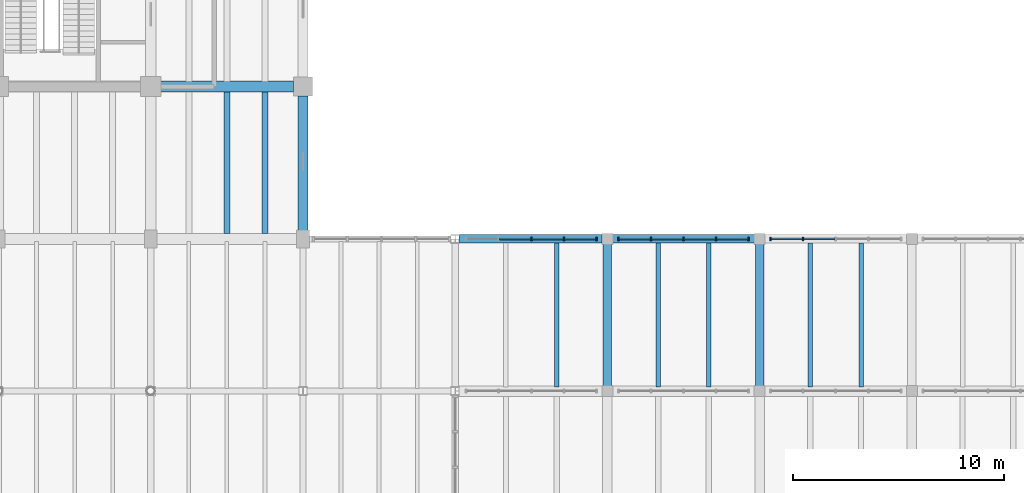
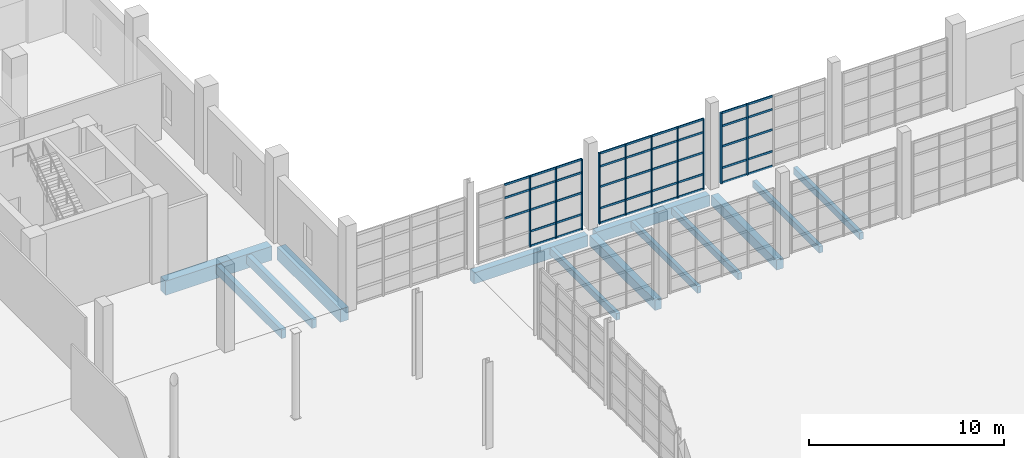
# One storey, part 39 of 79: 53 members, 13 beams, 3 elements without a shape of their own.
"""IFC4 building model written with IfcOpenShell, lengths in metres."""

from ifc_helpers import new_model, si_unit, direction, frame, origin, origin_2d, place, context, subcontext, project, spatial, rectangle, extrude, material, material_profile, profile_set, type_object, element, aggregate, save


model = new_model("IFC4")

# Units and contexts
model_context = context("Model", 3, precision=1e-05, world=origin(), true_north=direction((0.0, 1.0)))
body_context = subcontext(model_context, "Body", "Model", "MODEL_VIEW")
ifc_project = project(units=[si_unit("LENGTHUNIT", "METRE"), si_unit("AREAUNIT", "SQUARE_METRE"), si_unit("VOLUMEUNIT", "CUBIC_METRE"), si_unit("PLANEANGLEUNIT", "RADIAN"), si_unit("MASSUNIT", "GRAM", prefix="KILO")], contexts=[model_context])

# Site, building, storey
site_placement = place(None, origin())
site = spatial("IfcSite", under=ifc_project, at=site_placement, CompositionType="ELEMENT")
building_placement = place(site_placement, origin())
building = spatial("IfcBuilding", under=site, at=building_placement, Name="Qiaolan Assembly House", CompositionType="ELEMENT")
storey_placement = place(building_placement, origin())
storey = spatial("IfcBuildingStorey", under=building, at=storey_placement, Name="L00", CompositionType="ELEMENT", Elevation=0.0)

# Beams
ifc_material_1 = material(Name="Concrete C40/50", Category="concrete")
ifc_material_profile_1 = material_profile(ifc_material_1, rectangle(XDim=0.39990234375, YDim=0.64990234375, at=origin_2d()), Name="RCB 400x650")
ifc_profile_set_1 = profile_set([ifc_material_profile_1], Name="Concrete C40/50")
beam_type_1 = type_object("IfcBeamType", Name="BM-RC-400x650", PredefinedType="BEAM", material=ifc_profile_set_1)
for number, where, z_axis, x_axis, name in (
    (1, (115.199951171875, 79.449951171875, -0.6650390625), (0.0, 1.0, 0.0), (-1.0, 0.0, 0.0), "GB-06 beam BMY-CLN-L00-01-00"),
    (2, (122.39990234375, 79.449951171875, -0.6650390625), (0.0, 1.0, 0.0), (-1.0, 0.0, 0.0), "GB-06 beam BMY-CLN-L00-02-00"),
):
    element("IfcBeam", number, at=place(storey_placement, frame(where, z_axis=z_axis, x_axis=x_axis)), inside=storey, type_object=beam_type_1, Name=name, PredefinedType="BEAM", context=body_context, shape_type="SweptSolid", body=[
        extrude(rectangle(XDim=0.39990234375, YDim=0.64990234375, at=origin_2d()), origin(), (0.0, 0.0, 1.0), 6.699951171875),
    ])
ifc_material_profile_2 = material_profile(ifc_material_1, rectangle(XDim=0.39990234375, YDim=0.699951171875, at=origin_2d()), Name="RCB 400x700")
ifc_profile_set_2 = profile_set([ifc_material_profile_2], Name="Concrete C40/50")
beam_type_2 = type_object("IfcBeamType", Name="BM-RC-400x700", PredefinedType="BEAM", material=ifc_profile_set_2)
beam_1_placement = place(storey_placement, frame((108.18994140625, 86.39990234375, -0.68994140625), z_axis=(1.0, 0.0, 0.0), x_axis=(0.0, 1.0, 0.0)))
element("IfcBeam", 3, at=beam_1_placement, inside=storey, type_object=beam_type_2, Name="GB-05 beam BMX-CLN-L00-00-01", PredefinedType="BEAM", context=body_context, shape_type="SweptSolid", body=[
    extrude(rectangle(XDim=0.39990234375, YDim=0.699951171875, at=origin_2d()), origin(), (0.0, 0.0, 1.0), 6.760009765625),
])
beam_2_placement = place(storey_placement, frame((115.449951171875, 86.39990234375, -0.68994140625), z_axis=(1.0, 0.0, 0.0), x_axis=(0.0, 1.0, 0.0)))
element("IfcBeam", 4, at=beam_2_placement, inside=storey, type_object=beam_type_2, Name="GB-05 beam BMX-CLN-L00-01-01", PredefinedType="BEAM", context=body_context, shape_type="SweptSolid", body=[
    extrude(rectangle(XDim=0.39990234375, YDim=0.699951171875, at=origin_2d()), origin(), (0.0, 0.0, 1.0), 6.699951171875),
])
ifc_material_2 = material(Name="Concrete C45/55", Category="concrete")
ifc_material_profile_3 = material_profile(ifc_material_2, rectangle(XDim=0.47998046875, YDim=0.81005859375, at=origin_2d()), Name="RCB 480x810")
ifc_profile_set_3 = profile_set([ifc_material_profile_3], Name="Concrete C45/55")
beam_type_3 = type_object("IfcBeamType", Name="BM-RC-480x810", PredefinedType="BEAM", material=ifc_profile_set_3)
beam_3_placement = place(storey_placement, frame((100.800048828125, 86.68994140625, -0.655029296875), z_axis=(0.0, 1.0, 0.0), x_axis=(-1.0, 0.0, 0.0)))
element("IfcBeam", 5, at=beam_3_placement, inside=storey, type_object=beam_type_3, Name="GB-11 beam BMY-NW-L00-09-00", PredefinedType="BEAM", context=body_context, shape_type="SweptSolid", body=[
    extrude(rectangle(XDim=0.47998046875, YDim=0.81005859375, at=origin_2d()), origin(), (0.0, 0.0, 1.0), 6.469970703125),
])
ifc_material_profile_4 = material_profile(ifc_material_2, rectangle(XDim=0.52001953125, YDim=0.8798828125, at=origin_2d()), Name="RCB 520x880")
ifc_profile_set_4 = profile_set([ifc_material_profile_4], Name="Concrete C45/55")
beam_type_4 = type_object("IfcBeamType", Name="BM-RC-520x880", PredefinedType="BEAM", material=ifc_profile_set_4)
beam_4_placement = place(storey_placement, frame((94.06494140625, 93.60009765625, -0.68994140625), z_axis=(1.0, 0.0, 0.0), x_axis=(0.0, 1.0, 0.0)))
element("IfcBeam", 6, at=beam_4_placement, inside=storey, type_object=beam_type_4, Name="GB-10 beam BMX-NW-L00-08-01", PredefinedType="BEAM", context=body_context, shape_type="SweptSolid", body=[
    extrude(rectangle(XDim=0.52001953125, YDim=0.8798828125, at=origin_2d()), origin(), (0.0, 0.0, 1.0), 6.295166015625),
])

# Curtain wall, members
ifc_material_3 = material(Name="Anodised bronze aluminium", Category="aluminium")
curtain_wall_type = type_object("IfcCurtainWallType", Name="CW-CLOISTER-420", PredefinedType="NOTDEFINED", material=ifc_material_3)
curtain_wall_1_placement = place(storey_placement, origin())
curtain_wall_1 = element("IfcCurtainWall", 7, at=curtain_wall_1_placement, inside=storey, type_object=curtain_wall_type, Name="CW-05 North Cloister outer arcade L00-1", PredefinedType="NOTDEFINED")
ifc_material_profile_5 = material_profile(ifc_material_3, rectangle(XDim=0.070068359375, YDim=0.155029296875, at=origin_2d()), Name="MUL 70x155")
ifc_profile_set_5 = profile_set([ifc_material_profile_5], Name="Anodised bronze aluminium")
member_type_1 = type_object("IfcMemberType", Name="CW-CLOISTER-420-MUL", PredefinedType="MULLION", material=ifc_profile_set_5)
member_1_placement = place(storey_placement, frame((114.679931640625, 86.39990234375, 0.0), z_axis=(0.0, 0.0, 1.0), x_axis=(-1.0, 0.0, 0.0)))
member_1 = element("IfcMember", 8, at=member_1_placement, type_object=member_type_1, Name="ML-06 mullion CW-CLN-OUT-L00-0-1", PredefinedType="MULLION", context=body_context, shape_type="SweptSolid", body=[
    extrude(rectangle(XDim=0.070068359375, YDim=0.155029296875, at=origin_2d()), origin(), (0.0, 0.0, 1.0), 4.419921875),
])
member_2_placement = place(storey_placement, frame((113.139892578125, 86.39990234375, 0.0), z_axis=(0.0, 0.0, 1.0), x_axis=(-1.0, 0.0, 0.0)))
member_2 = element("IfcMember", 9, at=member_2_placement, type_object=member_type_1, Name="ML-06 mullion CW-CLN-OUT-L00-0-2", PredefinedType="MULLION", context=body_context, shape_type="SweptSolid", body=[
    extrude(rectangle(XDim=0.070068359375, YDim=0.155029296875, at=origin_2d()), origin(), (0.0, 0.0, 1.0), 4.419921875),
])
member_3_placement = place(storey_placement, frame((111.60009765625, 86.39990234375, 0.0), z_axis=(0.0, 0.0, 1.0), x_axis=(-1.0, 0.0, 0.0)))
member_3 = element("IfcMember", 10, at=member_3_placement, type_object=member_type_1, Name="ML-06 mullion CW-CLN-OUT-L00-0-3", PredefinedType="MULLION", context=body_context, shape_type="SweptSolid", body=[
    extrude(rectangle(XDim=0.070068359375, YDim=0.155029296875, at=origin_2d()), origin(), (0.0, 0.0, 1.0), 4.419921875),
])

curtain_wall_2_placement = place(storey_placement, origin())
curtain_wall_2 = element("IfcCurtainWall", 11, at=curtain_wall_2_placement, inside=storey, type_object=curtain_wall_type, Name="CW-05 North Cloister outer arcade L00-2", PredefinedType="NOTDEFINED")
member_4_placement = place(storey_placement, frame((121.8798828125, 86.39990234375, 0.0), z_axis=(0.0, 0.0, 1.0), x_axis=(-1.0, 0.0, 0.0)))
member_4 = element("IfcMember", 12, at=member_4_placement, type_object=member_type_1, Name="ML-06 mullion CW-CLN-OUT-L00-1-1", PredefinedType="MULLION", context=body_context, shape_type="SweptSolid", body=[
    extrude(rectangle(XDim=0.070068359375, YDim=0.155029296875, at=origin_2d()), origin(), (0.0, 0.0, 1.0), 4.419921875),
])
member_5_placement = place(storey_placement, frame((120.340087890625, 86.39990234375, 0.0), z_axis=(0.0, 0.0, 1.0), x_axis=(-1.0, 0.0, 0.0)))
member_5 = element("IfcMember", 13, at=member_5_placement, type_object=member_type_1, Name="ML-06 mullion CW-CLN-OUT-L00-1-2", PredefinedType="MULLION", context=body_context, shape_type="SweptSolid", body=[
    extrude(rectangle(XDim=0.070068359375, YDim=0.155029296875, at=origin_2d()), origin(), (0.0, 0.0, 1.0), 4.419921875),
])
member_6_placement = place(storey_placement, frame((118.800048828125, 86.39990234375, 0.0), z_axis=(0.0, 0.0, 1.0), x_axis=(-1.0, 0.0, 0.0)))
member_6 = element("IfcMember", 14, at=member_6_placement, type_object=member_type_1, Name="ML-06 mullion CW-CLN-OUT-L00-1-3", PredefinedType="MULLION", context=body_context, shape_type="SweptSolid", body=[
    extrude(rectangle(XDim=0.070068359375, YDim=0.155029296875, at=origin_2d()), origin(), (0.0, 0.0, 1.0), 4.419921875),
])
member_7_placement = place(storey_placement, frame((117.260009765625, 86.39990234375, 0.0), z_axis=(0.0, 0.0, 1.0), x_axis=(-1.0, 0.0, 0.0)))
member_7 = element("IfcMember", 15, at=member_7_placement, type_object=member_type_1, Name="ML-06 mullion CW-CLN-OUT-L00-1-4", PredefinedType="MULLION", context=body_context, shape_type="SweptSolid", body=[
    extrude(rectangle(XDim=0.070068359375, YDim=0.155029296875, at=origin_2d()), origin(), (0.0, 0.0, 1.0), 4.419921875),
])
member_8_placement = place(storey_placement, frame((115.719970703125, 86.39990234375, 0.0), z_axis=(0.0, 0.0, 1.0), x_axis=(-1.0, 0.0, 0.0)))
member_8 = element("IfcMember", 16, at=member_8_placement, type_object=member_type_1, Name="ML-06 mullion CW-CLN-OUT-L00-1-5", PredefinedType="MULLION", context=body_context, shape_type="SweptSolid", body=[
    extrude(rectangle(XDim=0.070068359375, YDim=0.155029296875, at=origin_2d()), origin(), (0.0, 0.0, 1.0), 4.419921875),
])

curtain_wall_3_placement = place(storey_placement, origin())
curtain_wall_3 = element("IfcCurtainWall", 17, at=curtain_wall_3_placement, inside=storey, type_object=curtain_wall_type, Name="CW-05 North Cloister outer arcade L00-3", PredefinedType="NOTDEFINED")
member_9_placement = place(storey_placement, frame((124.4599609375, 86.39990234375, 0.0), z_axis=(0.0, 0.0, 1.0), x_axis=(-1.0, 0.0, 0.0)))
member_9 = element("IfcMember", 18, at=member_9_placement, type_object=member_type_1, Name="ML-06 mullion CW-CLN-OUT-L00-2-4", PredefinedType="MULLION", context=body_context, shape_type="SweptSolid", body=[
    extrude(rectangle(XDim=0.070068359375, YDim=0.155029296875, at=origin_2d()), origin(), (0.0, 0.0, 1.0), 4.419921875),
])
member_10_placement = place(storey_placement, frame((122.919921875, 86.39990234375, 0.0), z_axis=(0.0, 0.0, 1.0), x_axis=(-1.0, 0.0, 0.0)))
member_10 = element("IfcMember", 19, at=member_10_placement, type_object=member_type_1, Name="ML-06 mullion CW-CLN-OUT-L00-2-5", PredefinedType="MULLION", context=body_context, shape_type="SweptSolid", body=[
    extrude(rectangle(XDim=0.070068359375, YDim=0.155029296875, at=origin_2d()), origin(), (0.0, 0.0, 1.0), 4.419921875),
])

# Member
ifc_material_profile_6 = material_profile(ifc_material_3, rectangle(XDim=0.06201171875, YDim=0.125, at=origin_2d()), Name="TRN 62x125")
ifc_profile_set_6 = profile_set([ifc_material_profile_6], Name="Anodised bronze aluminium")
member_type_2 = type_object("IfcMemberType", Name="CW-CLOISTER-420-TRN", PredefinedType="USERDEFINED", material=ifc_profile_set_6)
member_11_placement = place(storey_placement, frame((114.64501953125, 86.39990234375, 0.030029296875), z_axis=(-1.0, 0.0, 0.0), x_axis=(0.0, -1.0, 0.0)))
member_11 = element("IfcMember", 20, at=member_11_placement, type_object=member_type_2, Name="TR-06 transom CW-CLN-OUT-L00-0-1-1", ObjectType="TRANSOM", PredefinedType="USERDEFINED", context=body_context, shape_type="SweptSolid", body=[
    extrude(rectangle(XDim=0.06201171875, YDim=0.125, at=origin_2d()), origin(), (0.0, 0.0, 1.0), 1.469970703125),
])

member_12_placement = place(storey_placement, frame((114.64501953125, 86.39990234375, 0.949951171875), z_axis=(-1.0, 0.0, 0.0), x_axis=(0.0, -1.0, 0.0)))
member_12 = element("IfcMember", 21, at=member_12_placement, type_object=member_type_2, Name="TR-06 transom CW-CLN-OUT-L00-0-1-2", ObjectType="TRANSOM", PredefinedType="USERDEFINED", context=body_context, shape_type="SweptSolid", body=[
    extrude(rectangle(XDim=0.06201171875, YDim=0.125, at=origin_2d()), origin(), (0.0, 0.0, 1.0), 1.469970703125),
])

member_13_placement = place(storey_placement, frame((114.64501953125, 86.39990234375, 2.29833984375), z_axis=(-1.0, 0.0, 0.0), x_axis=(0.0, -1.0, 0.0)))
member_13 = element("IfcMember", 22, at=member_13_placement, type_object=member_type_2, Name="TR-06 transom CW-CLN-OUT-L00-0-1-3", ObjectType="TRANSOM", PredefinedType="USERDEFINED", context=body_context, shape_type="SweptSolid", body=[
    extrude(rectangle(XDim=0.06201171875, YDim=0.125, at=origin_2d()), origin(), (0.0, 0.0, 1.0), 1.469970703125),
])

member_14_placement = place(storey_placement, frame((114.64501953125, 86.39990234375, 3.570068359375), z_axis=(-1.0, 0.0, 0.0), x_axis=(0.0, -1.0, 0.0)))
member_14 = element("IfcMember", 23, at=member_14_placement, type_object=member_type_2, Name="TR-06 transom CW-CLN-OUT-L00-0-1-4", ObjectType="TRANSOM", PredefinedType="USERDEFINED", context=body_context, shape_type="SweptSolid", body=[
    extrude(rectangle(XDim=0.06201171875, YDim=0.125, at=origin_2d()), origin(), (0.0, 0.0, 1.0), 1.469970703125),
])

member_15_placement = place(storey_placement, frame((114.64501953125, 86.39990234375, 4.389892578125), z_axis=(-1.0, 0.0, 0.0), x_axis=(0.0, -1.0, 0.0)))
member_15 = element("IfcMember", 24, at=member_15_placement, type_object=member_type_2, Name="TR-06 transom CW-CLN-OUT-L00-0-1-5", ObjectType="TRANSOM", PredefinedType="USERDEFINED", context=body_context, shape_type="SweptSolid", body=[
    extrude(rectangle(XDim=0.06201171875, YDim=0.125, at=origin_2d()), origin(), (0.0, 0.0, 1.0), 1.469970703125),
])

member_16_placement = place(storey_placement, frame((113.10498046875, 86.39990234375, 0.030029296875), z_axis=(-1.0, 0.0, 0.0), x_axis=(0.0, -1.0, 0.0)))
member_16 = element("IfcMember", 25, at=member_16_placement, type_object=member_type_2, Name="TR-06 transom CW-CLN-OUT-L00-0-2-1", ObjectType="TRANSOM", PredefinedType="USERDEFINED", context=body_context, shape_type="SweptSolid", body=[
    extrude(rectangle(XDim=0.06201171875, YDim=0.125, at=origin_2d()), origin(), (0.0, 0.0, 1.0), 1.469970703125),
])

member_17_placement = place(storey_placement, frame((113.10498046875, 86.39990234375, 0.949951171875), z_axis=(-1.0, 0.0, 0.0), x_axis=(0.0, -1.0, 0.0)))
member_17 = element("IfcMember", 26, at=member_17_placement, type_object=member_type_2, Name="TR-06 transom CW-CLN-OUT-L00-0-2-2", ObjectType="TRANSOM", PredefinedType="USERDEFINED", context=body_context, shape_type="SweptSolid", body=[
    extrude(rectangle(XDim=0.06201171875, YDim=0.125, at=origin_2d()), origin(), (0.0, 0.0, 1.0), 1.469970703125),
])

member_18_placement = place(storey_placement, frame((113.10498046875, 86.39990234375, 2.29833984375), z_axis=(-1.0, 0.0, 0.0), x_axis=(0.0, -1.0, 0.0)))
member_18 = element("IfcMember", 27, at=member_18_placement, type_object=member_type_2, Name="TR-06 transom CW-CLN-OUT-L00-0-2-3", ObjectType="TRANSOM", PredefinedType="USERDEFINED", context=body_context, shape_type="SweptSolid", body=[
    extrude(rectangle(XDim=0.06201171875, YDim=0.125, at=origin_2d()), origin(), (0.0, 0.0, 1.0), 1.469970703125),
])

member_19_placement = place(storey_placement, frame((113.10498046875, 86.39990234375, 3.570068359375), z_axis=(-1.0, 0.0, 0.0), x_axis=(0.0, -1.0, 0.0)))
member_19 = element("IfcMember", 28, at=member_19_placement, type_object=member_type_2, Name="TR-06 transom CW-CLN-OUT-L00-0-2-4", ObjectType="TRANSOM", PredefinedType="USERDEFINED", context=body_context, shape_type="SweptSolid", body=[
    extrude(rectangle(XDim=0.06201171875, YDim=0.125, at=origin_2d()), origin(), (0.0, 0.0, 1.0), 1.469970703125),
])

member_20_placement = place(storey_placement, frame((113.10498046875, 86.39990234375, 4.389892578125), z_axis=(-1.0, 0.0, 0.0), x_axis=(0.0, -1.0, 0.0)))
member_20 = element("IfcMember", 29, at=member_20_placement, type_object=member_type_2, Name="TR-06 transom CW-CLN-OUT-L00-0-2-5", ObjectType="TRANSOM", PredefinedType="USERDEFINED", context=body_context, shape_type="SweptSolid", body=[
    extrude(rectangle(XDim=0.06201171875, YDim=0.125, at=origin_2d()), origin(), (0.0, 0.0, 1.0), 1.469970703125),
])

member_21_placement = place(storey_placement, frame((111.56494140625, 86.39990234375, 2.29833984375), z_axis=(-1.0, 0.0, 0.0), x_axis=(0.0, -1.0, 0.0)))
member_21 = element("IfcMember", 30, at=member_21_placement, type_object=member_type_2, Name="TR-06 transom CW-CLN-OUT-L00-0-3-3", ObjectType="TRANSOM", PredefinedType="USERDEFINED", context=body_context, shape_type="SweptSolid", body=[
    extrude(rectangle(XDim=0.06201171875, YDim=0.125, at=origin_2d()), origin(), (0.0, 0.0, 1.0), 1.469970703125),
])

member_22_placement = place(storey_placement, frame((111.56494140625, 86.39990234375, 3.570068359375), z_axis=(-1.0, 0.0, 0.0), x_axis=(0.0, -1.0, 0.0)))
member_22 = element("IfcMember", 31, at=member_22_placement, type_object=member_type_2, Name="TR-06 transom CW-CLN-OUT-L00-0-3-4", ObjectType="TRANSOM", PredefinedType="USERDEFINED", context=body_context, shape_type="SweptSolid", body=[
    extrude(rectangle(XDim=0.06201171875, YDim=0.125, at=origin_2d()), origin(), (0.0, 0.0, 1.0), 1.469970703125),
])

member_23_placement = place(storey_placement, frame((111.56494140625, 86.39990234375, 4.389892578125), z_axis=(-1.0, 0.0, 0.0), x_axis=(0.0, -1.0, 0.0)))
member_23 = element("IfcMember", 32, at=member_23_placement, type_object=member_type_2, Name="TR-06 transom CW-CLN-OUT-L00-0-3-5", ObjectType="TRANSOM", PredefinedType="USERDEFINED", context=body_context, shape_type="SweptSolid", body=[
    extrude(rectangle(XDim=0.06201171875, YDim=0.125, at=origin_2d()), origin(), (0.0, 0.0, 1.0), 1.469970703125),
])

aggregate(curtain_wall_1, [member_1, member_2, member_3, member_11, member_12, member_13, member_14, member_15, member_16, member_17, member_18, member_19, member_20, member_21, member_22, member_23])

member_24_placement = place(storey_placement, frame((121.844970703125, 86.39990234375, 0.030029296875), z_axis=(-1.0, 0.0, 0.0), x_axis=(0.0, -1.0, 0.0)))
member_24 = element("IfcMember", 33, at=member_24_placement, type_object=member_type_2, Name="TR-06 transom CW-CLN-OUT-L00-1-1-1", ObjectType="TRANSOM", PredefinedType="USERDEFINED", context=body_context, shape_type="SweptSolid", body=[
    extrude(rectangle(XDim=0.06201171875, YDim=0.125, at=origin_2d()), origin(), (0.0, 0.0, 1.0), 1.469970703125),
])

member_25_placement = place(storey_placement, frame((121.844970703125, 86.39990234375, 0.949951171875), z_axis=(-1.0, 0.0, 0.0), x_axis=(0.0, -1.0, 0.0)))
member_25 = element("IfcMember", 34, at=member_25_placement, type_object=member_type_2, Name="TR-06 transom CW-CLN-OUT-L00-1-1-2", ObjectType="TRANSOM", PredefinedType="USERDEFINED", context=body_context, shape_type="SweptSolid", body=[
    extrude(rectangle(XDim=0.06201171875, YDim=0.125, at=origin_2d()), origin(), (0.0, 0.0, 1.0), 1.469970703125),
])

member_26_placement = place(storey_placement, frame((121.844970703125, 86.39990234375, 2.29833984375), z_axis=(-1.0, 0.0, 0.0), x_axis=(0.0, -1.0, 0.0)))
member_26 = element("IfcMember", 35, at=member_26_placement, type_object=member_type_2, Name="TR-06 transom CW-CLN-OUT-L00-1-1-3", ObjectType="TRANSOM", PredefinedType="USERDEFINED", context=body_context, shape_type="SweptSolid", body=[
    extrude(rectangle(XDim=0.06201171875, YDim=0.125, at=origin_2d()), origin(), (0.0, 0.0, 1.0), 1.469970703125),
])

member_27_placement = place(storey_placement, frame((121.844970703125, 86.39990234375, 3.570068359375), z_axis=(-1.0, 0.0, 0.0), x_axis=(0.0, -1.0, 0.0)))
member_27 = element("IfcMember", 36, at=member_27_placement, type_object=member_type_2, Name="TR-06 transom CW-CLN-OUT-L00-1-1-4", ObjectType="TRANSOM", PredefinedType="USERDEFINED", context=body_context, shape_type="SweptSolid", body=[
    extrude(rectangle(XDim=0.06201171875, YDim=0.125, at=origin_2d()), origin(), (0.0, 0.0, 1.0), 1.469970703125),
])

member_28_placement = place(storey_placement, frame((121.844970703125, 86.39990234375, 4.389892578125), z_axis=(-1.0, 0.0, 0.0), x_axis=(0.0, -1.0, 0.0)))
member_28 = element("IfcMember", 37, at=member_28_placement, type_object=member_type_2, Name="TR-06 transom CW-CLN-OUT-L00-1-1-5", ObjectType="TRANSOM", PredefinedType="USERDEFINED", context=body_context, shape_type="SweptSolid", body=[
    extrude(rectangle(XDim=0.06201171875, YDim=0.125, at=origin_2d()), origin(), (0.0, 0.0, 1.0), 1.469970703125),
])

member_29_placement = place(storey_placement, frame((120.304931640625, 86.39990234375, 0.030029296875), z_axis=(-1.0, 0.0, 0.0), x_axis=(0.0, -1.0, 0.0)))
member_29 = element("IfcMember", 38, at=member_29_placement, type_object=member_type_2, Name="TR-06 transom CW-CLN-OUT-L00-1-2-1", ObjectType="TRANSOM", PredefinedType="USERDEFINED", context=body_context, shape_type="SweptSolid", body=[
    extrude(rectangle(XDim=0.06201171875, YDim=0.125, at=origin_2d()), origin(), (0.0, 0.0, 1.0), 1.469970703125),
])

member_30_placement = place(storey_placement, frame((120.304931640625, 86.39990234375, 0.949951171875), z_axis=(-1.0, 0.0, 0.0), x_axis=(0.0, -1.0, 0.0)))
member_30 = element("IfcMember", 39, at=member_30_placement, type_object=member_type_2, Name="TR-06 transom CW-CLN-OUT-L00-1-2-2", ObjectType="TRANSOM", PredefinedType="USERDEFINED", context=body_context, shape_type="SweptSolid", body=[
    extrude(rectangle(XDim=0.06201171875, YDim=0.125, at=origin_2d()), origin(), (0.0, 0.0, 1.0), 1.469970703125),
])

member_31_placement = place(storey_placement, frame((120.304931640625, 86.39990234375, 2.29833984375), z_axis=(-1.0, 0.0, 0.0), x_axis=(0.0, -1.0, 0.0)))
member_31 = element("IfcMember", 40, at=member_31_placement, type_object=member_type_2, Name="TR-06 transom CW-CLN-OUT-L00-1-2-3", ObjectType="TRANSOM", PredefinedType="USERDEFINED", context=body_context, shape_type="SweptSolid", body=[
    extrude(rectangle(XDim=0.06201171875, YDim=0.125, at=origin_2d()), origin(), (0.0, 0.0, 1.0), 1.469970703125),
])

member_32_placement = place(storey_placement, frame((120.304931640625, 86.39990234375, 3.570068359375), z_axis=(-1.0, 0.0, 0.0), x_axis=(0.0, -1.0, 0.0)))
member_32 = element("IfcMember", 41, at=member_32_placement, type_object=member_type_2, Name="TR-06 transom CW-CLN-OUT-L00-1-2-4", ObjectType="TRANSOM", PredefinedType="USERDEFINED", context=body_context, shape_type="SweptSolid", body=[
    extrude(rectangle(XDim=0.06201171875, YDim=0.125, at=origin_2d()), origin(), (0.0, 0.0, 1.0), 1.469970703125),
])

member_33_placement = place(storey_placement, frame((120.304931640625, 86.39990234375, 4.389892578125), z_axis=(-1.0, 0.0, 0.0), x_axis=(0.0, -1.0, 0.0)))
member_33 = element("IfcMember", 42, at=member_33_placement, type_object=member_type_2, Name="TR-06 transom CW-CLN-OUT-L00-1-2-5", ObjectType="TRANSOM", PredefinedType="USERDEFINED", context=body_context, shape_type="SweptSolid", body=[
    extrude(rectangle(XDim=0.06201171875, YDim=0.125, at=origin_2d()), origin(), (0.0, 0.0, 1.0), 1.469970703125),
])

member_34_placement = place(storey_placement, frame((118.764892578125, 86.39990234375, 0.030029296875), z_axis=(-1.0, 0.0, 0.0), x_axis=(0.0, -1.0, 0.0)))
member_34 = element("IfcMember", 43, at=member_34_placement, type_object=member_type_2, Name="TR-06 transom CW-CLN-OUT-L00-1-3-1", ObjectType="TRANSOM", PredefinedType="USERDEFINED", context=body_context, shape_type="SweptSolid", body=[
    extrude(rectangle(XDim=0.06201171875, YDim=0.125, at=origin_2d()), origin(), (0.0, 0.0, 1.0), 1.469970703125),
])

member_35_placement = place(storey_placement, frame((118.764892578125, 86.39990234375, 0.949951171875), z_axis=(-1.0, 0.0, 0.0), x_axis=(0.0, -1.0, 0.0)))
member_35 = element("IfcMember", 44, at=member_35_placement, type_object=member_type_2, Name="TR-06 transom CW-CLN-OUT-L00-1-3-2", ObjectType="TRANSOM", PredefinedType="USERDEFINED", context=body_context, shape_type="SweptSolid", body=[
    extrude(rectangle(XDim=0.06201171875, YDim=0.125, at=origin_2d()), origin(), (0.0, 0.0, 1.0), 1.469970703125),
])

member_36_placement = place(storey_placement, frame((118.764892578125, 86.39990234375, 2.29833984375), z_axis=(-1.0, 0.0, 0.0), x_axis=(0.0, -1.0, 0.0)))
member_36 = element("IfcMember", 45, at=member_36_placement, type_object=member_type_2, Name="TR-06 transom CW-CLN-OUT-L00-1-3-3", ObjectType="TRANSOM", PredefinedType="USERDEFINED", context=body_context, shape_type="SweptSolid", body=[
    extrude(rectangle(XDim=0.06201171875, YDim=0.125, at=origin_2d()), origin(), (0.0, 0.0, 1.0), 1.469970703125),
])

member_37_placement = place(storey_placement, frame((118.764892578125, 86.39990234375, 3.570068359375), z_axis=(-1.0, 0.0, 0.0), x_axis=(0.0, -1.0, 0.0)))
member_37 = element("IfcMember", 46, at=member_37_placement, type_object=member_type_2, Name="TR-06 transom CW-CLN-OUT-L00-1-3-4", ObjectType="TRANSOM", PredefinedType="USERDEFINED", context=body_context, shape_type="SweptSolid", body=[
    extrude(rectangle(XDim=0.06201171875, YDim=0.125, at=origin_2d()), origin(), (0.0, 0.0, 1.0), 1.469970703125),
])

member_38_placement = place(storey_placement, frame((118.764892578125, 86.39990234375, 4.389892578125), z_axis=(-1.0, 0.0, 0.0), x_axis=(0.0, -1.0, 0.0)))
member_38 = element("IfcMember", 47, at=member_38_placement, type_object=member_type_2, Name="TR-06 transom CW-CLN-OUT-L00-1-3-5", ObjectType="TRANSOM", PredefinedType="USERDEFINED", context=body_context, shape_type="SweptSolid", body=[
    extrude(rectangle(XDim=0.06201171875, YDim=0.125, at=origin_2d()), origin(), (0.0, 0.0, 1.0), 1.469970703125),
])

member_39_placement = place(storey_placement, frame((117.22509765625, 86.39990234375, 0.030029296875), z_axis=(-1.0, 0.0, 0.0), x_axis=(0.0, -1.0, 0.0)))
member_39 = element("IfcMember", 48, at=member_39_placement, type_object=member_type_2, Name="TR-06 transom CW-CLN-OUT-L00-1-4-1", ObjectType="TRANSOM", PredefinedType="USERDEFINED", context=body_context, shape_type="SweptSolid", body=[
    extrude(rectangle(XDim=0.06201171875, YDim=0.125, at=origin_2d()), origin(), (0.0, 0.0, 1.0), 1.47021484375),
])

member_40_placement = place(storey_placement, frame((117.22509765625, 86.39990234375, 0.949951171875), z_axis=(-1.0, 0.0, 0.0), x_axis=(0.0, -1.0, 0.0)))
member_40 = element("IfcMember", 49, at=member_40_placement, type_object=member_type_2, Name="TR-06 transom CW-CLN-OUT-L00-1-4-2", ObjectType="TRANSOM", PredefinedType="USERDEFINED", context=body_context, shape_type="SweptSolid", body=[
    extrude(rectangle(XDim=0.06201171875, YDim=0.125, at=origin_2d()), origin(), (0.0, 0.0, 1.0), 1.47021484375),
])

member_41_placement = place(storey_placement, frame((117.22509765625, 86.39990234375, 2.29833984375), z_axis=(-1.0, 0.0, 0.0), x_axis=(0.0, -1.0, 0.0)))
member_41 = element("IfcMember", 50, at=member_41_placement, type_object=member_type_2, Name="TR-06 transom CW-CLN-OUT-L00-1-4-3", ObjectType="TRANSOM", PredefinedType="USERDEFINED", context=body_context, shape_type="SweptSolid", body=[
    extrude(rectangle(XDim=0.06201171875, YDim=0.125, at=origin_2d()), origin(), (0.0, 0.0, 1.0), 1.47021484375),
])

member_42_placement = place(storey_placement, frame((117.22509765625, 86.39990234375, 3.570068359375), z_axis=(-1.0, 0.0, 0.0), x_axis=(0.0, -1.0, 0.0)))
member_42 = element("IfcMember", 51, at=member_42_placement, type_object=member_type_2, Name="TR-06 transom CW-CLN-OUT-L00-1-4-4", ObjectType="TRANSOM", PredefinedType="USERDEFINED", context=body_context, shape_type="SweptSolid", body=[
    extrude(rectangle(XDim=0.06201171875, YDim=0.125, at=origin_2d()), origin(), (0.0, 0.0, 1.0), 1.47021484375),
])

member_43_placement = place(storey_placement, frame((117.22509765625, 86.39990234375, 4.389892578125), z_axis=(-1.0, 0.0, 0.0), x_axis=(0.0, -1.0, 0.0)))
member_43 = element("IfcMember", 52, at=member_43_placement, type_object=member_type_2, Name="TR-06 transom CW-CLN-OUT-L00-1-4-5", ObjectType="TRANSOM", PredefinedType="USERDEFINED", context=body_context, shape_type="SweptSolid", body=[
    extrude(rectangle(XDim=0.06201171875, YDim=0.125, at=origin_2d()), origin(), (0.0, 0.0, 1.0), 1.47021484375),
])

aggregate(curtain_wall_2, [member_4, member_5, member_6, member_7, member_8, member_24, member_25, member_26, member_27, member_28, member_29, member_30, member_31, member_32, member_33, member_34, member_35, member_36, member_37, member_38, member_39, member_40, member_41, member_42, member_43])

member_44_placement = place(storey_placement, frame((125.965087890625, 86.39990234375, 0.030029296875), z_axis=(-1.0, 0.0, 0.0), x_axis=(0.0, -1.0, 0.0)))
member_44 = element("IfcMember", 53, at=member_44_placement, type_object=member_type_2, Name="TR-06 transom CW-CLN-OUT-L00-2-3-1", ObjectType="TRANSOM", PredefinedType="USERDEFINED", context=body_context, shape_type="SweptSolid", body=[
    extrude(rectangle(XDim=0.06201171875, YDim=0.125, at=origin_2d()), origin(), (0.0, 0.0, 1.0), 1.469970703125),
])

member_45_placement = place(storey_placement, frame((125.965087890625, 86.39990234375, 0.949951171875), z_axis=(-1.0, 0.0, 0.0), x_axis=(0.0, -1.0, 0.0)))
member_45 = element("IfcMember", 54, at=member_45_placement, type_object=member_type_2, Name="TR-06 transom CW-CLN-OUT-L00-2-3-2", ObjectType="TRANSOM", PredefinedType="USERDEFINED", context=body_context, shape_type="SweptSolid", body=[
    extrude(rectangle(XDim=0.06201171875, YDim=0.125, at=origin_2d()), origin(), (0.0, 0.0, 1.0), 1.469970703125),
])

member_46_placement = place(storey_placement, frame((125.965087890625, 86.39990234375, 2.29833984375), z_axis=(-1.0, 0.0, 0.0), x_axis=(0.0, -1.0, 0.0)))
member_46 = element("IfcMember", 55, at=member_46_placement, type_object=member_type_2, Name="TR-06 transom CW-CLN-OUT-L00-2-3-3", ObjectType="TRANSOM", PredefinedType="USERDEFINED", context=body_context, shape_type="SweptSolid", body=[
    extrude(rectangle(XDim=0.06201171875, YDim=0.125, at=origin_2d()), origin(), (0.0, 0.0, 1.0), 1.469970703125),
])

member_47_placement = place(storey_placement, frame((125.965087890625, 86.39990234375, 3.570068359375), z_axis=(-1.0, 0.0, 0.0), x_axis=(0.0, -1.0, 0.0)))
member_47 = element("IfcMember", 56, at=member_47_placement, type_object=member_type_2, Name="TR-06 transom CW-CLN-OUT-L00-2-3-4", ObjectType="TRANSOM", PredefinedType="USERDEFINED", context=body_context, shape_type="SweptSolid", body=[
    extrude(rectangle(XDim=0.06201171875, YDim=0.125, at=origin_2d()), origin(), (0.0, 0.0, 1.0), 1.469970703125),
])

member_48_placement = place(storey_placement, frame((125.965087890625, 86.39990234375, 4.389892578125), z_axis=(-1.0, 0.0, 0.0), x_axis=(0.0, -1.0, 0.0)))
member_48 = element("IfcMember", 57, at=member_48_placement, type_object=member_type_2, Name="TR-06 transom CW-CLN-OUT-L00-2-3-5", ObjectType="TRANSOM", PredefinedType="USERDEFINED", context=body_context, shape_type="SweptSolid", body=[
    extrude(rectangle(XDim=0.06201171875, YDim=0.125, at=origin_2d()), origin(), (0.0, 0.0, 1.0), 1.469970703125),
])

member_49_placement = place(storey_placement, frame((124.425048828125, 86.39990234375, 0.030029296875), z_axis=(-1.0, 0.0, 0.0), x_axis=(0.0, -1.0, 0.0)))
member_49 = element("IfcMember", 58, at=member_49_placement, type_object=member_type_2, Name="TR-06 transom CW-CLN-OUT-L00-2-4-1", ObjectType="TRANSOM", PredefinedType="USERDEFINED", context=body_context, shape_type="SweptSolid", body=[
    extrude(rectangle(XDim=0.06201171875, YDim=0.125, at=origin_2d()), origin(), (0.0, 0.0, 1.0), 1.469970703125),
])

member_50_placement = place(storey_placement, frame((124.425048828125, 86.39990234375, 0.949951171875), z_axis=(-1.0, 0.0, 0.0), x_axis=(0.0, -1.0, 0.0)))
member_50 = element("IfcMember", 59, at=member_50_placement, type_object=member_type_2, Name="TR-06 transom CW-CLN-OUT-L00-2-4-2", ObjectType="TRANSOM", PredefinedType="USERDEFINED", context=body_context, shape_type="SweptSolid", body=[
    extrude(rectangle(XDim=0.06201171875, YDim=0.125, at=origin_2d()), origin(), (0.0, 0.0, 1.0), 1.469970703125),
])

member_51_placement = place(storey_placement, frame((124.425048828125, 86.39990234375, 2.29833984375), z_axis=(-1.0, 0.0, 0.0), x_axis=(0.0, -1.0, 0.0)))
member_51 = element("IfcMember", 60, at=member_51_placement, type_object=member_type_2, Name="TR-06 transom CW-CLN-OUT-L00-2-4-3", ObjectType="TRANSOM", PredefinedType="USERDEFINED", context=body_context, shape_type="SweptSolid", body=[
    extrude(rectangle(XDim=0.06201171875, YDim=0.125, at=origin_2d()), origin(), (0.0, 0.0, 1.0), 1.469970703125),
])

member_52_placement = place(storey_placement, frame((124.425048828125, 86.39990234375, 3.570068359375), z_axis=(-1.0, 0.0, 0.0), x_axis=(0.0, -1.0, 0.0)))
member_52 = element("IfcMember", 61, at=member_52_placement, type_object=member_type_2, Name="TR-06 transom CW-CLN-OUT-L00-2-4-4", ObjectType="TRANSOM", PredefinedType="USERDEFINED", context=body_context, shape_type="SweptSolid", body=[
    extrude(rectangle(XDim=0.06201171875, YDim=0.125, at=origin_2d()), origin(), (0.0, 0.0, 1.0), 1.469970703125),
])

member_53_placement = place(storey_placement, frame((124.425048828125, 86.39990234375, 4.389892578125), z_axis=(-1.0, 0.0, 0.0), x_axis=(0.0, -1.0, 0.0)))
member_53 = element("IfcMember", 62, at=member_53_placement, type_object=member_type_2, Name="TR-06 transom CW-CLN-OUT-L00-2-4-5", ObjectType="TRANSOM", PredefinedType="USERDEFINED", context=body_context, shape_type="SweptSolid", body=[
    extrude(rectangle(XDim=0.06201171875, YDim=0.125, at=origin_2d()), origin(), (0.0, 0.0, 1.0), 1.469970703125),
])

aggregate(curtain_wall_3, [member_9, member_10, member_44, member_45, member_46, member_47, member_48, member_49, member_50, member_51, member_52, member_53])

# Beams
ifc_material_profile_7 = material_profile(ifc_material_1, rectangle(XDim=0.219970703125, YDim=0.419921875, at=origin_2d()), Name="RCB 220x420")
ifc_profile_set_7 = profile_set([ifc_material_profile_7], Name="Concrete C40/50")
beam_type_5 = type_object("IfcBeamType", Name="JST-RC-220x420", PredefinedType="JOIST", material=ifc_profile_set_7)
for number, where, z_axis, x_axis, name in (
    (63, (112.800048828125, 79.39404296875, -0.550048828125), (0.0, 1.0, 0.0), (-1.0, 0.0, 0.0), "RJ-03 beam JST-CLN-L00-00-00-2"),
    (64, (117.60009765625, 79.39404296875, -0.550048828125), (0.0, 1.0, 0.0), (-1.0, 0.0, 0.0), "RJ-03 beam JST-CLN-L00-01-00-1"),
    (65, (120.0, 79.39404296875, -0.550048828125), (0.0, 1.0, 0.0), (-1.0, 0.0, 0.0), "RJ-03 beam JST-CLN-L00-01-00-2"),
    (66, (124.800048828125, 79.39404296875, -0.550048828125), (0.0, 1.0, 0.0), (-1.0, 0.0, 0.0), "RJ-03 beam JST-CLN-L00-02-00-1"),
    (67, (127.199951171875, 79.39404296875, -0.550048828125), (0.0, 1.0, 0.0), (-1.0, 0.0, 0.0), "RJ-03 beam JST-CLN-L00-02-00-2"),
):
    element("IfcBeam", number, at=place(storey_placement, frame(where, z_axis=z_axis, x_axis=x_axis)), inside=storey, type_object=beam_type_5, Name=name, PredefinedType="JOIST", context=body_context, shape_type="SweptSolid", body=[
        extrude(rectangle(XDim=0.219970703125, YDim=0.419921875, at=origin_2d()), origin(), (0.0, 0.0, 1.0), 6.81201171875),
    ])
ifc_material_profile_8 = material_profile(ifc_material_1, rectangle(XDim=0.280029296875, YDim=0.5400390625, at=origin_2d()), Name="RCB 280x540")
ifc_profile_set_8 = profile_set([ifc_material_profile_8], Name="Concrete C40/50")
beam_type_6 = type_object("IfcBeamType", Name="JST-RC-280x540", PredefinedType="JOIST", material=ifc_profile_set_8)
for number, where, z_axis, x_axis, name in (
    (68, (97.199951171875, 86.654052734375, -0.570068359375), (0.0, 1.0, 0.0), (-1.0, 0.0, 0.0), "RJ-04 beam JST-NW-L00-08-00-2"),
    (69, (99.0, 86.654052734375, -0.570068359375), (0.0, 1.0, 0.0), (-1.0, 0.0, 0.0), "RJ-04 beam JST-NW-L00-08-00-3"),
):
    element("IfcBeam", number, at=place(storey_placement, frame(where, z_axis=z_axis, x_axis=x_axis)), inside=storey, type_object=beam_type_6, Name=name, PredefinedType="JOIST", context=body_context, shape_type="SweptSolid", body=[
        extrude(rectangle(XDim=0.280029296875, YDim=0.5400390625, at=origin_2d()), origin(), (0.0, 0.0, 1.0), 6.69189453125),
    ])

save(model, "model.ifc")
